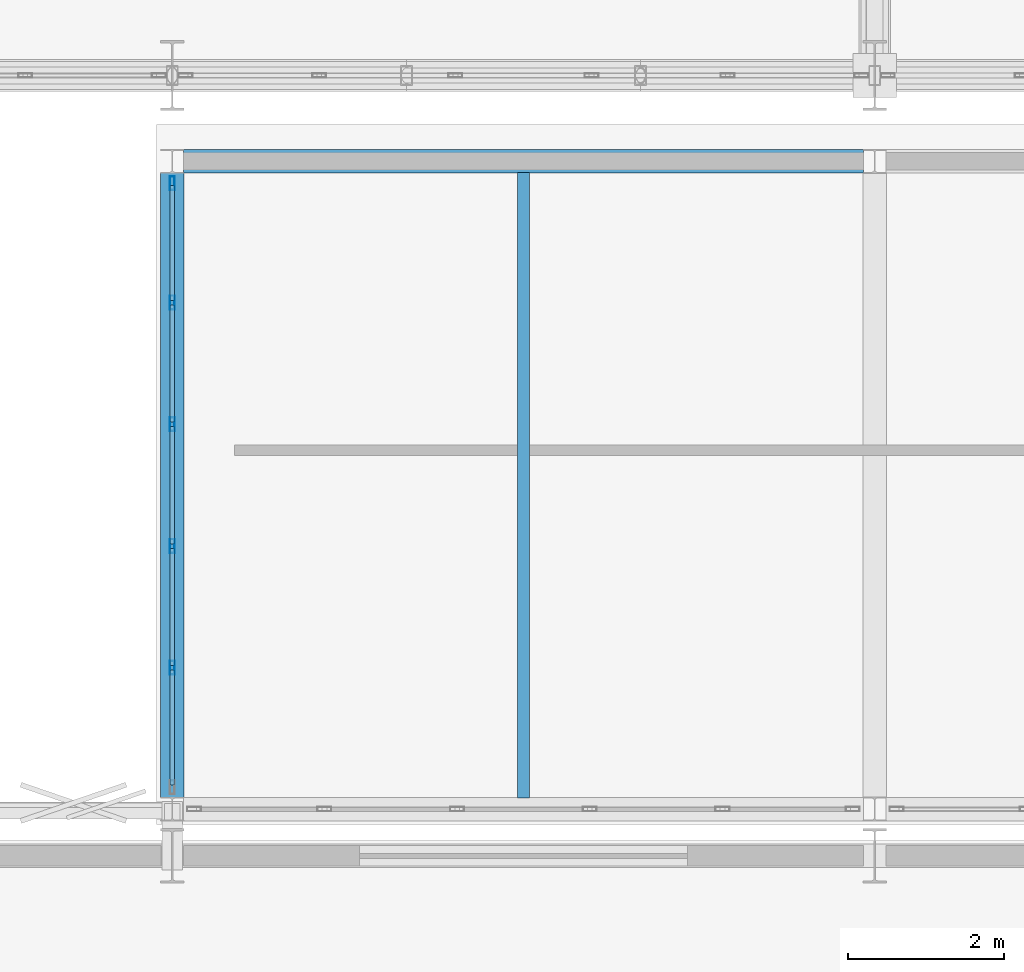
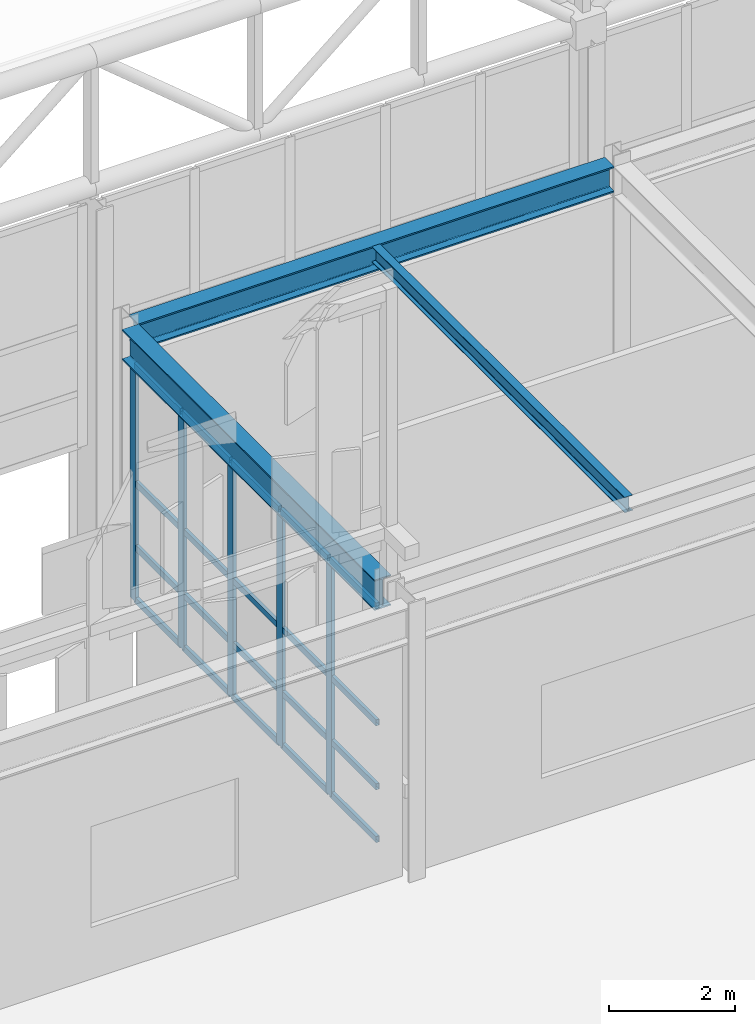
# One storey, part 31 of 239: 25 members, 3 beams, 1 element without a shape of its own.
"""IFC4 building model written with IfcOpenShell, lengths in metres."""

from ifc_helpers import new_model, si_unit, direction, frame, origin, origin_2d, place, context, subcontext, project, spatial, hollow_rectangle, i_section, extrude, material, material_profile, profile_set, type_object, element, aggregate, save


model = new_model("IFC4")

# Units and contexts
model_context = context("Model", 3, precision=1e-05, world=origin(), true_north=direction((0.0, 1.0)))
body_context = subcontext(model_context, "Body", "Model", "MODEL_VIEW")
ifc_project = project(units=[si_unit("LENGTHUNIT", "METRE"), si_unit("AREAUNIT", "SQUARE_METRE"), si_unit("VOLUMEUNIT", "CUBIC_METRE"), si_unit("PLANEANGLEUNIT", "RADIAN"), si_unit("MASSUNIT", "GRAM", prefix="KILO")], contexts=[model_context])

# Site, building, storey
site_placement = place(None, origin())
site = spatial("IfcSite", under=ifc_project, at=site_placement, CompositionType="ELEMENT")
building_placement = place(site_placement, origin())
building = spatial("IfcBuilding", under=site, at=building_placement, Name="Kaldris Quays Convention Centre", CompositionType="ELEMENT")
storey_placement = place(building_placement, frame((0.0, 0.0, 11.39990234375)))
storey = spatial("IfcBuildingStorey", under=building, at=storey_placement, Name="L02", CompositionType="ELEMENT", Elevation=11.39990234375)

# Curtain wall, members
ifc_material_1 = material(Name="Anodized aluminium AW-6060 and triple glazing", Category="aluminium")
curtain_wall_type = type_object("IfcCurtainWallType", Name="UNITISED CURTAIN WALL CW02", PredefinedType="NOTDEFINED", material=ifc_material_1)
curtain_wall_placement = place(storey_placement, origin())
curtain_wall = element("IfcCurtainWall", 1, at=curtain_wall_placement, inside=storey, type_object=curtain_wall_type, Name="L02 Unitised Curtain Wall CW02 103", PredefinedType="NOTDEFINED")
ifc_material_2 = material(Name="Anodized aluminium AW-6060", Category="aluminium")
ifc_material_profile_1 = material_profile(ifc_material_2, hollow_rectangle(XDim=0.06005859375, YDim=0.179931640625, WallThickness=0.0048828125, at=origin_2d()), Name="RHS 180x60x5")
ifc_profile_set_1 = profile_set([ifc_material_profile_1], Name="Anodized aluminium AW-6060")
member_type_1 = type_object("IfcMemberType", Name="CURTAIN MULLION CWM2", PredefinedType="MULLION", material=ifc_profile_set_1)
member_1_placement = place(storey_placement, frame((29.0, 48.409912109375, 0.0), z_axis=(0.0, 0.0, 1.0), x_axis=(-1.0, 0.0, 0.0)))
member_1 = element("IfcMember", 2, at=member_1_placement, type_object=member_type_1, Name="CW02 mullion 2", PredefinedType="MULLION", context=body_context, shape_type="SweptSolid", body=[
    extrude(hollow_rectangle(XDim=0.06005859375, YDim=0.179931640625, WallThickness=0.0048828125, at=origin_2d()), origin(), (0.0, 0.0, 1.0), 4.578125),
])
member_2_placement = place(storey_placement, frame((29.0, 49.969970703125, 0.0), z_axis=(0.0, 0.0, 1.0), x_axis=(-1.0, 0.0, 0.0)))
member_2 = element("IfcMember", 3, at=member_2_placement, type_object=member_type_1, Name="CW02 mullion 3", PredefinedType="MULLION", context=body_context, shape_type="SweptSolid", body=[
    extrude(hollow_rectangle(XDim=0.06005859375, YDim=0.179931640625, WallThickness=0.0048828125, at=origin_2d()), origin(), (0.0, 0.0, 1.0), 4.578125),
])
member_3_placement = place(storey_placement, frame((29.0, 51.530029296875, 0.0), z_axis=(0.0, 0.0, 1.0), x_axis=(-1.0, 0.0, 0.0)))
member_3 = element("IfcMember", 4, at=member_3_placement, type_object=member_type_1, Name="CW02 mullion 4", PredefinedType="MULLION", context=body_context, shape_type="SweptSolid", body=[
    extrude(hollow_rectangle(XDim=0.06005859375, YDim=0.179931640625, WallThickness=0.0048828125, at=origin_2d()), origin(), (0.0, 0.0, 1.0), 4.578125),
])
member_4_placement = place(storey_placement, frame((29.0, 53.090087890625, 0.0), z_axis=(0.0, 0.0, 1.0), x_axis=(-1.0, 0.0, 0.0)))
member_4 = element("IfcMember", 5, at=member_4_placement, type_object=member_type_1, Name="CW02 mullion 5", PredefinedType="MULLION", context=body_context, shape_type="SweptSolid", body=[
    extrude(hollow_rectangle(XDim=0.06005859375, YDim=0.179931640625, WallThickness=0.0048828125, at=origin_2d()), origin(), (0.0, 0.0, 1.0), 4.578125),
])
member_5_placement = place(storey_placement, frame((29.0, 54.6201171875, 0.0), z_axis=(0.0, 0.0, 1.0), x_axis=(-1.0, 0.0, 0.0)))
member_5 = element("IfcMember", 6, at=member_5_placement, type_object=member_type_1, Name="CW02 mullion 6", PredefinedType="MULLION", context=body_context, shape_type="SweptSolid", body=[
    extrude(hollow_rectangle(XDim=0.06005859375, YDim=0.179931640625, WallThickness=0.0048828125, at=origin_2d()), origin(), (0.0, 0.0, 1.0), 4.578125),
])
ifc_material_profile_2 = material_profile(ifc_material_2, hollow_rectangle(XDim=0.06005859375, YDim=0.1201171875, WallThickness=0.00390625, at=origin_2d()), Name="RHS 120x60x4")
ifc_profile_set_2 = profile_set([ifc_material_profile_2], Name="Anodized aluminium AW-6060")
member_type_2 = type_object("IfcMemberType", Name="CURTAIN TRANSOM CWT1", PredefinedType="USERDEFINED", material=ifc_profile_set_2)
member_6_placement = place(storey_placement, frame((29.0, 46.909912109375, 0.030029296875), z_axis=(0.0, 1.0, 0.0), x_axis=(-1.0, 0.0, 0.0)))
member_6 = element("IfcMember", 7, at=member_6_placement, type_object=member_type_2, Name="CW02 transom 1.1", ObjectType="TRANSOM", PredefinedType="USERDEFINED", context=body_context, shape_type="SweptSolid", body=[
    extrude(hollow_rectangle(XDim=0.06005859375, YDim=0.1201171875, WallThickness=0.00390625, at=origin_2d()), origin(), (0.0, 0.0, 1.0), 1.469970703125),
])
member_7_placement = place(storey_placement, frame((29.0, 46.909912109375, 1.050048828125), z_axis=(0.0, 1.0, 0.0), x_axis=(-1.0, 0.0, 0.0)))
member_7 = element("IfcMember", 8, at=member_7_placement, type_object=member_type_2, Name="CW02 transom 1.2", ObjectType="TRANSOM", PredefinedType="USERDEFINED", context=body_context, shape_type="SweptSolid", body=[
    extrude(hollow_rectangle(XDim=0.06005859375, YDim=0.1201171875, WallThickness=0.00390625, at=origin_2d()), origin(), (0.0, 0.0, 1.0), 1.469970703125),
])
member_8_placement = place(storey_placement, frame((29.0, 46.909912109375, 2.2890625), z_axis=(0.0, 1.0, 0.0), x_axis=(-1.0, 0.0, 0.0)))
member_8 = element("IfcMember", 9, at=member_8_placement, type_object=member_type_2, Name="CW02 transom 1.3", ObjectType="TRANSOM", PredefinedType="USERDEFINED", context=body_context, shape_type="SweptSolid", body=[
    extrude(hollow_rectangle(XDim=0.06005859375, YDim=0.1201171875, WallThickness=0.00390625, at=origin_2d()), origin(), (0.0, 0.0, 1.0), 1.469970703125),
])
member_9_placement = place(storey_placement, frame((29.0, 46.909912109375, 4.548095703125), z_axis=(0.0, 1.0, 0.0), x_axis=(-1.0, 0.0, 0.0)))
member_9 = element("IfcMember", 10, at=member_9_placement, type_object=member_type_2, Name="CW02 transom 1.4", ObjectType="TRANSOM", PredefinedType="USERDEFINED", context=body_context, shape_type="SweptSolid", body=[
    extrude(hollow_rectangle(XDim=0.06005859375, YDim=0.1201171875, WallThickness=0.00390625, at=origin_2d()), origin(), (0.0, 0.0, 1.0), 1.469970703125),
])
member_10_placement = place(storey_placement, frame((29.0, 48.43994140625, 0.030029296875), z_axis=(0.0, 1.0, 0.0), x_axis=(-1.0, 0.0, 0.0)))
member_10 = element("IfcMember", 11, at=member_10_placement, type_object=member_type_2, Name="CW02 transom 2.1", ObjectType="TRANSOM", PredefinedType="USERDEFINED", context=body_context, shape_type="SweptSolid", body=[
    extrude(hollow_rectangle(XDim=0.06005859375, YDim=0.1201171875, WallThickness=0.00390625, at=origin_2d()), origin(), (0.0, 0.0, 1.0), 1.5),
])
member_11_placement = place(storey_placement, frame((29.0, 48.43994140625, 1.050048828125), z_axis=(0.0, 1.0, 0.0), x_axis=(-1.0, 0.0, 0.0)))
member_11 = element("IfcMember", 12, at=member_11_placement, type_object=member_type_2, Name="CW02 transom 2.2", ObjectType="TRANSOM", PredefinedType="USERDEFINED", context=body_context, shape_type="SweptSolid", body=[
    extrude(hollow_rectangle(XDim=0.06005859375, YDim=0.1201171875, WallThickness=0.00390625, at=origin_2d()), origin(), (0.0, 0.0, 1.0), 1.5),
])
member_12_placement = place(storey_placement, frame((29.0, 48.43994140625, 2.2890625), z_axis=(0.0, 1.0, 0.0), x_axis=(-1.0, 0.0, 0.0)))
member_12 = element("IfcMember", 13, at=member_12_placement, type_object=member_type_2, Name="CW02 transom 2.3", ObjectType="TRANSOM", PredefinedType="USERDEFINED", context=body_context, shape_type="SweptSolid", body=[
    extrude(hollow_rectangle(XDim=0.06005859375, YDim=0.1201171875, WallThickness=0.00390625, at=origin_2d()), origin(), (0.0, 0.0, 1.0), 1.5),
])
member_13_placement = place(storey_placement, frame((29.0, 48.43994140625, 4.548095703125), z_axis=(0.0, 1.0, 0.0), x_axis=(-1.0, 0.0, 0.0)))
member_13 = element("IfcMember", 14, at=member_13_placement, type_object=member_type_2, Name="CW02 transom 2.4", ObjectType="TRANSOM", PredefinedType="USERDEFINED", context=body_context, shape_type="SweptSolid", body=[
    extrude(hollow_rectangle(XDim=0.06005859375, YDim=0.1201171875, WallThickness=0.00390625, at=origin_2d()), origin(), (0.0, 0.0, 1.0), 1.5),
])
member_14_placement = place(storey_placement, frame((29.0, 50.0, 0.030029296875), z_axis=(0.0, 1.0, 0.0), x_axis=(-1.0, 0.0, 0.0)))
member_14 = element("IfcMember", 15, at=member_14_placement, type_object=member_type_2, Name="CW02 transom 3.1", ObjectType="TRANSOM", PredefinedType="USERDEFINED", context=body_context, shape_type="SweptSolid", body=[
    extrude(hollow_rectangle(XDim=0.06005859375, YDim=0.1201171875, WallThickness=0.00390625, at=origin_2d()), origin(), (0.0, 0.0, 1.0), 1.5),
])
member_15_placement = place(storey_placement, frame((29.0, 50.0, 1.050048828125), z_axis=(0.0, 1.0, 0.0), x_axis=(-1.0, 0.0, 0.0)))
member_15 = element("IfcMember", 16, at=member_15_placement, type_object=member_type_2, Name="CW02 transom 3.2", ObjectType="TRANSOM", PredefinedType="USERDEFINED", context=body_context, shape_type="SweptSolid", body=[
    extrude(hollow_rectangle(XDim=0.06005859375, YDim=0.1201171875, WallThickness=0.00390625, at=origin_2d()), origin(), (0.0, 0.0, 1.0), 1.5),
])
member_16_placement = place(storey_placement, frame((29.0, 50.0, 2.2890625), z_axis=(0.0, 1.0, 0.0), x_axis=(-1.0, 0.0, 0.0)))
member_16 = element("IfcMember", 17, at=member_16_placement, type_object=member_type_2, Name="CW02 transom 3.3", ObjectType="TRANSOM", PredefinedType="USERDEFINED", context=body_context, shape_type="SweptSolid", body=[
    extrude(hollow_rectangle(XDim=0.06005859375, YDim=0.1201171875, WallThickness=0.00390625, at=origin_2d()), origin(), (0.0, 0.0, 1.0), 1.5),
])
member_17_placement = place(storey_placement, frame((29.0, 50.0, 4.548095703125), z_axis=(0.0, 1.0, 0.0), x_axis=(-1.0, 0.0, 0.0)))
member_17 = element("IfcMember", 18, at=member_17_placement, type_object=member_type_2, Name="CW02 transom 3.4", ObjectType="TRANSOM", PredefinedType="USERDEFINED", context=body_context, shape_type="SweptSolid", body=[
    extrude(hollow_rectangle(XDim=0.06005859375, YDim=0.1201171875, WallThickness=0.00390625, at=origin_2d()), origin(), (0.0, 0.0, 1.0), 1.5),
])
member_18_placement = place(storey_placement, frame((29.0, 51.56005859375, 0.030029296875), z_axis=(0.0, 1.0, 0.0), x_axis=(-1.0, 0.0, 0.0)))
member_18 = element("IfcMember", 19, at=member_18_placement, type_object=member_type_2, Name="CW02 transom 4.1", ObjectType="TRANSOM", PredefinedType="USERDEFINED", context=body_context, shape_type="SweptSolid", body=[
    extrude(hollow_rectangle(XDim=0.06005859375, YDim=0.1201171875, WallThickness=0.00390625, at=origin_2d()), origin(), (0.0, 0.0, 1.0), 1.5),
])
member_19_placement = place(storey_placement, frame((29.0, 51.56005859375, 1.050048828125), z_axis=(0.0, 1.0, 0.0), x_axis=(-1.0, 0.0, 0.0)))
member_19 = element("IfcMember", 20, at=member_19_placement, type_object=member_type_2, Name="CW02 transom 4.2", ObjectType="TRANSOM", PredefinedType="USERDEFINED", context=body_context, shape_type="SweptSolid", body=[
    extrude(hollow_rectangle(XDim=0.06005859375, YDim=0.1201171875, WallThickness=0.00390625, at=origin_2d()), origin(), (0.0, 0.0, 1.0), 1.5),
])
member_20_placement = place(storey_placement, frame((29.0, 51.56005859375, 2.2890625), z_axis=(0.0, 1.0, 0.0), x_axis=(-1.0, 0.0, 0.0)))
member_20 = element("IfcMember", 21, at=member_20_placement, type_object=member_type_2, Name="CW02 transom 4.3", ObjectType="TRANSOM", PredefinedType="USERDEFINED", context=body_context, shape_type="SweptSolid", body=[
    extrude(hollow_rectangle(XDim=0.06005859375, YDim=0.1201171875, WallThickness=0.00390625, at=origin_2d()), origin(), (0.0, 0.0, 1.0), 1.5),
])
member_21_placement = place(storey_placement, frame((29.0, 51.56005859375, 4.548095703125), z_axis=(0.0, 1.0, 0.0), x_axis=(-1.0, 0.0, 0.0)))
member_21 = element("IfcMember", 22, at=member_21_placement, type_object=member_type_2, Name="CW02 transom 4.4", ObjectType="TRANSOM", PredefinedType="USERDEFINED", context=body_context, shape_type="SweptSolid", body=[
    extrude(hollow_rectangle(XDim=0.06005859375, YDim=0.1201171875, WallThickness=0.00390625, at=origin_2d()), origin(), (0.0, 0.0, 1.0), 1.5),
])
member_22_placement = place(storey_placement, frame((29.0, 53.1201171875, 0.030029296875), z_axis=(0.0, 1.0, 0.0), x_axis=(-1.0, 0.0, 0.0)))
member_22 = element("IfcMember", 23, at=member_22_placement, type_object=member_type_2, Name="CW02 transom 5.1", ObjectType="TRANSOM", PredefinedType="USERDEFINED", context=body_context, shape_type="SweptSolid", body=[
    extrude(hollow_rectangle(XDim=0.06005859375, YDim=0.1201171875, WallThickness=0.00390625, at=origin_2d()), origin(), (0.0, 0.0, 1.0), 1.469970703125),
])
member_23_placement = place(storey_placement, frame((29.0, 53.1201171875, 1.050048828125), z_axis=(0.0, 1.0, 0.0), x_axis=(-1.0, 0.0, 0.0)))
member_23 = element("IfcMember", 24, at=member_23_placement, type_object=member_type_2, Name="CW02 transom 5.2", ObjectType="TRANSOM", PredefinedType="USERDEFINED", context=body_context, shape_type="SweptSolid", body=[
    extrude(hollow_rectangle(XDim=0.06005859375, YDim=0.1201171875, WallThickness=0.00390625, at=origin_2d()), origin(), (0.0, 0.0, 1.0), 1.469970703125),
])
member_24_placement = place(storey_placement, frame((29.0, 53.1201171875, 2.2890625), z_axis=(0.0, 1.0, 0.0), x_axis=(-1.0, 0.0, 0.0)))
member_24 = element("IfcMember", 25, at=member_24_placement, type_object=member_type_2, Name="CW02 transom 5.3", ObjectType="TRANSOM", PredefinedType="USERDEFINED", context=body_context, shape_type="SweptSolid", body=[
    extrude(hollow_rectangle(XDim=0.06005859375, YDim=0.1201171875, WallThickness=0.00390625, at=origin_2d()), origin(), (0.0, 0.0, 1.0), 1.469970703125),
])
member_25_placement = place(storey_placement, frame((29.0, 53.1201171875, 4.548095703125), z_axis=(0.0, 1.0, 0.0), x_axis=(-1.0, 0.0, 0.0)))
member_25 = element("IfcMember", 26, at=member_25_placement, type_object=member_type_2, Name="CW02 transom 5.4", ObjectType="TRANSOM", PredefinedType="USERDEFINED", context=body_context, shape_type="SweptSolid", body=[
    extrude(hollow_rectangle(XDim=0.06005859375, YDim=0.1201171875, WallThickness=0.00390625, at=origin_2d()), origin(), (0.0, 0.0, 1.0), 1.469970703125),
])
aggregate(curtain_wall, [member_1, member_2, member_3, member_4, member_5, member_6, member_7, member_8, member_9, member_10, member_11, member_12, member_13, member_14, member_15, member_16, member_17, member_18, member_19, member_20, member_21, member_22, member_23, member_24, member_25])

# Beams
ifc_material_3 = material(Name="Steel S355J2", Category="steel")
ifc_material_profile_3 = material_profile(ifc_material_3, i_section(OverallWidth=0.300048828125, OverallDepth=0.5, WebThickness=0.014404296875, FlangeThickness=0.028076171875, FilletRadius=0.027099609375, at=origin_2d()), Name="HEB 500")
ifc_profile_set_3 = profile_set([ifc_material_profile_3], Name="Steel S355J2")
beam_type_1 = type_object("IfcBeamType", Name="STRUCTURAL BEAM BM06", PredefinedType="BEAM", material=ifc_profile_set_3)
beam_1_placement = place(storey_placement, frame((29.14404296875, 54.89990234375, 4.943115234375), z_axis=(1.0, 0.0, 0.0), x_axis=(0.0, 1.0, 0.0)))
element("IfcBeam", 27, at=beam_1_placement, inside=storey, type_object=beam_type_1, Name="L02 Girder BM06 7", PredefinedType="BEAM", context=body_context, shape_type="SweptSolid", body=[
    extrude(i_section(OverallWidth=0.300048828125, OverallDepth=0.5, WebThickness=0.014404296875, FlangeThickness=0.028076171875, FilletRadius=0.027099609375, at=origin_2d()), origin(), (0.0, 0.0, 1.0), 8.7119140625),
])
ifc_material_profile_4 = material_profile(ifc_material_3, i_section(OverallWidth=0.300048828125, OverallDepth=0.590087890625, WebThickness=0.012939453125, FlangeThickness=0.02490234375, FilletRadius=0.027099609375, at=origin_2d()), Name="HEA 600")
ifc_profile_set_4 = profile_set([ifc_material_profile_4], Name="Steel S355J2")
beam_type_2 = type_object("IfcBeamType", Name="STRUCTURAL BEAM BM08", PredefinedType="BEAM", material=ifc_profile_set_4)
beam_2_placement = place(storey_placement, frame((29.0, 46.7490234375, 4.898193359375), z_axis=(0.0, 1.0, 0.0), x_axis=(-1.0, 0.0, 0.0)))
element("IfcBeam", 28, at=beam_2_placement, inside=storey, type_object=beam_type_2, Name="L02 Girder BM08 13", PredefinedType="BEAM", context=body_context, shape_type="SweptSolid", body=[
    extrude(i_section(OverallWidth=0.300048828125, OverallDepth=0.590087890625, WebThickness=0.012939453125, FlangeThickness=0.02490234375, FilletRadius=0.027099609375, at=origin_2d()), origin(), (0.0, 0.0, 1.0), 8.001953125),
])
ifc_material_profile_5 = material_profile(ifc_material_3, i_section(OverallWidth=0.14990234375, OverallDepth=0.300048828125, WebThickness=0.007080078125, FlangeThickness=0.0107421875, FilletRadius=0.014892578125, at=origin_2d()), Name="IPE 300")
ifc_profile_set_5 = profile_set([ifc_material_profile_5], Name="Steel S355J2")
beam_type_3 = type_object("IfcBeamType", Name="STRUCTURAL BEAM JT04", PredefinedType="JOIST", material=ifc_profile_set_5)
beam_3_placement = place(storey_placement, frame((33.5, 46.743896484375, 5.043212890625), z_axis=(0.0, 1.0, 0.0), x_axis=(-1.0, 0.0, 0.0)))
element("IfcBeam", 29, at=beam_3_placement, inside=storey, type_object=beam_type_3, Name="L02 Secondary Joist JT04 1", PredefinedType="JOIST", context=body_context, shape_type="SweptSolid", body=[
    extrude(i_section(OverallWidth=0.14990234375, OverallDepth=0.300048828125, WebThickness=0.007080078125, FlangeThickness=0.0107421875, FilletRadius=0.014892578125, at=origin_2d()), origin(), (0.0, 0.0, 1.0), 8.01220703125),
])

save(model, "model.ifc")
